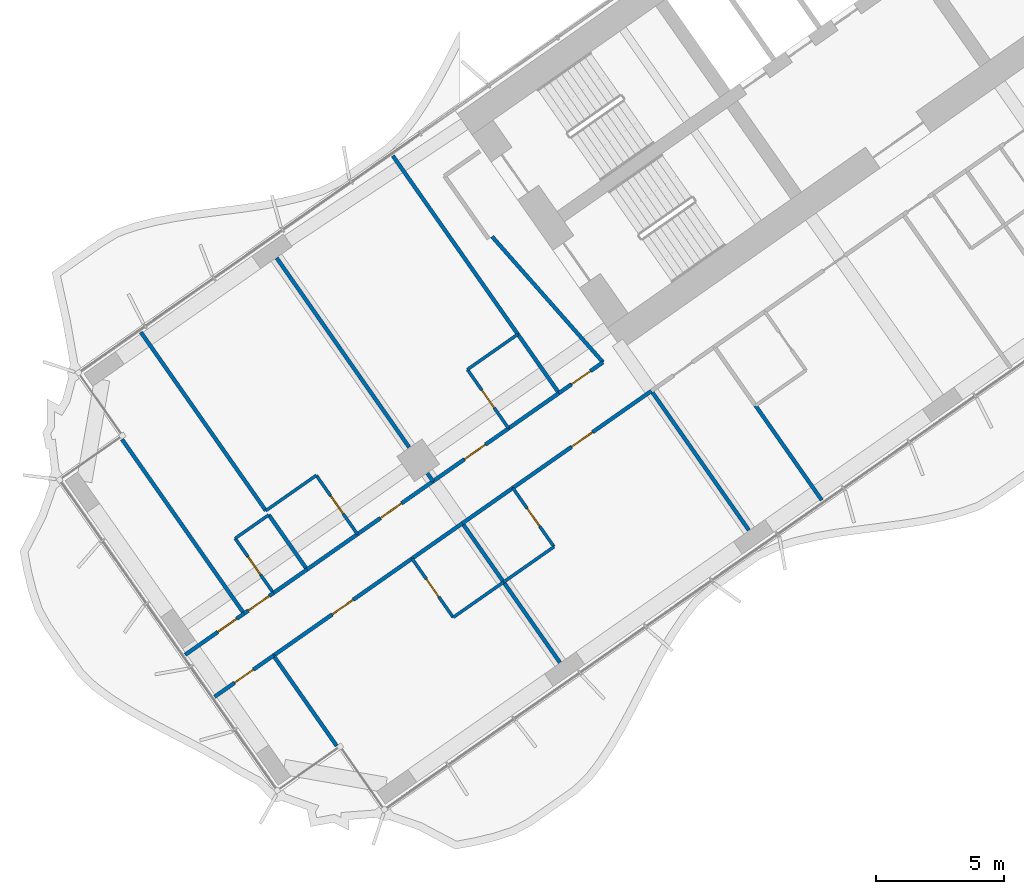
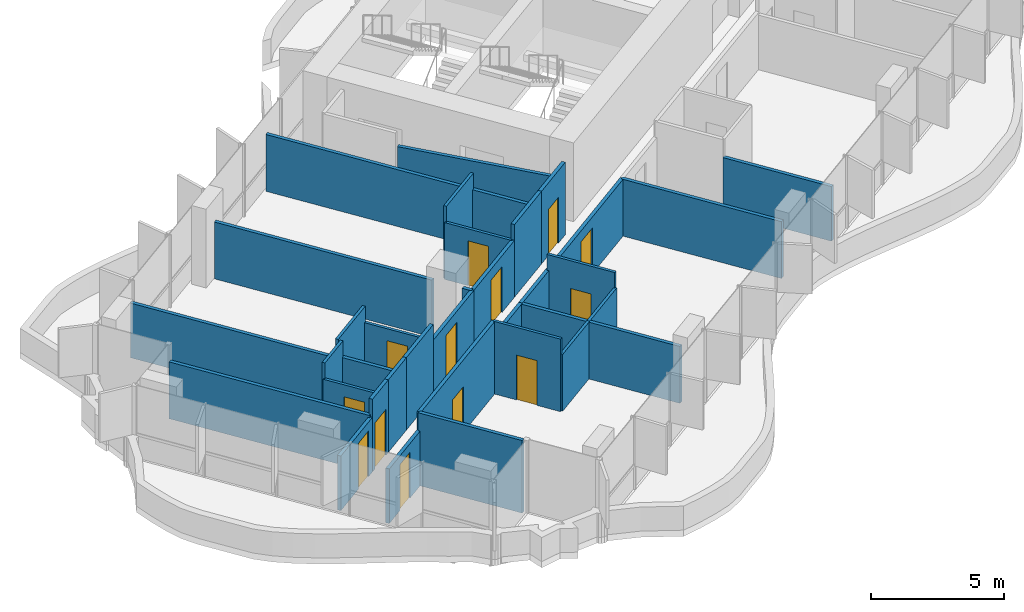
# One storey, part 13 of 25: 36 walls, 13 doors, 13 openings.
"""IFC4 building model written with IfcOpenShell, lengths in metres."""

from ifc_helpers import new_model, si_unit, direction, frame, frame_2d, origin, place, context, subcontext, project, spatial, rectangle, extrude, material, layer, layer_set, type_object, element, fill, save


model = new_model("IFC4")

# Units and contexts
model_context = context("Model", 3, precision=1e-05, world=origin(), true_north=direction((0.0, 1.0)))
body_context = subcontext(model_context, "Body", "Model", "MODEL_VIEW")
ifc_project = project(units=[si_unit("LENGTHUNIT", "METRE"), si_unit("AREAUNIT", "SQUARE_METRE"), si_unit("VOLUMEUNIT", "CUBIC_METRE"), si_unit("PLANEANGLEUNIT", "RADIAN"), si_unit("MASSUNIT", "GRAM", prefix="KILO")], contexts=[model_context])

# Site, building, storey
site_placement = place(None, origin())
site = spatial("IfcSite", under=ifc_project, at=site_placement, CompositionType="ELEMENT")
building_placement = place(site_placement, origin())
building = spatial("IfcBuilding", under=site, at=building_placement, Name="Tel Ilan Convention Tower", CompositionType="ELEMENT")
storey_placement = place(building_placement, frame((0.0, 0.0, 76.10009765625)))
storey = spatial("IfcBuildingStorey", under=building, at=storey_placement, Name="L14", CompositionType="ELEMENT", Elevation=76.10009765625)

# Wall, opening, door
ifc_material_1 = material(Name="Plasterboard on Steel Studs", Category="steel")
ifc_layer_1 = layer(ifc_material_1, 0.14990234375)
ifc_layer_set_1 = layer_set([ifc_layer_1], Name="Fire-rated Partition 150 EI 60")
wall_type_1 = type_object("IfcWallType", Name="Fire-rated Partition 150 EI 60", PredefinedType="PARTITIONING", material=ifc_layer_set_1)
wall_1_placement = place(storey_placement, frame((-24.002685546875, -18.027587890625, 0.0), z_axis=(0.0, 0.0, 1.0), x_axis=(0.819160859995, 0.573563846013, 0.0)))
wall_1 = element("IfcWall", 1, at=wall_1_placement, inside=storey, type_object=wall_type_1, Name="Partition 018", PredefinedType="PARTITIONING", context=body_context, shape_type="SweptSolid", body=[
    extrude(rectangle(XDim=2.098388671875, YDim=0.14990234375, at=frame_2d((1.04931640625, 0.0))), origin(), (0.0, 0.0, 1.0), 3.31982421875),
])
opening_1_placement = place(wall_1_placement, frame((0.59912109375, 0.0, 0.0)))
opening_1 = element("IfcOpeningElement", 2, at=opening_1_placement, cuts=wall_1, Name="Opening L14-013", PredefinedType="OPENING", context=body_context, shape_type="SweptSolid", body=[
    extrude(rectangle(XDim=0.89990234375, YDim=2.10009765625, at=frame_2d((0.449951171875, 1.050048828125))), frame((0.0, 0.0849609375, 0.0), z_axis=(0.0, -1.0, 0.0), x_axis=(1.0, 0.0, 0.0)), (0.0, 0.0, 1.0), 0.169921875),
])
ifc_material_2 = material(Name="Timber Door Leaf in Steel Frame", Category="steel")
door_type_1 = type_object("IfcDoorType", Name="Room Fire Door 900x2100", OperationType="NOTDEFINED", PredefinedType="DOOR", material=ifc_material_2)
door_1_placement = place(opening_1_placement, origin())
door_1 = element("IfcDoor", 3, at=door_1_placement, inside=storey, type_object=door_type_1, Name="Door L14-013", OperationType="SINGLE_SWING_LEFT", OverallHeight=2.10009765625, OverallWidth=0.89990234375, PredefinedType="DOOR", context=body_context, shape_type="SweptSolid", body=[
    extrude(rectangle(XDim=0.89990234375, YDim=2.10009765625, at=frame_2d((0.449951171875, 1.050048828125))), frame((0.0, 0.02490234375, 0.0), z_axis=(0.0, -1.0, 0.0), x_axis=(1.0, 0.0, 0.0)), (0.0, 0.0, 1.0), 0.050048828125),
])
fill(opening_1, door_1)

wall_2_placement = place(storey_placement, frame((-28.91748046875, -21.468994140625, 0.0), z_axis=(0.0, 0.0, 1.0), x_axis=(0.81917779803, 0.57353965444, 0.0)))
wall_2 = element("IfcWall", 4, at=wall_2_placement, inside=storey, type_object=wall_type_1, Name="Partition 019", PredefinedType="PARTITIONING", context=body_context, shape_type="SweptSolid", body=[
    extrude(rectangle(XDim=3.602783203125, YDim=0.14990234375, at=frame_2d((1.80126953125, 0.0))), origin(), (0.0, 0.0, 1.0), 2.599853515625),
])
opening_2_placement = place(wall_2_placement, frame((1.501953125, 0.0, 0.0)))
opening_2 = element("IfcOpeningElement", 5, at=opening_2_placement, cuts=wall_2, Name="Opening L14-015", PredefinedType="OPENING", context=body_context, shape_type="SweptSolid", body=[
    extrude(rectangle(XDim=1.0, YDim=2.10009765625, at=frame_2d((0.5, 1.050048828125))), frame((0.0, 0.0849609375, 0.0), z_axis=(0.0, -1.0, 0.0), x_axis=(1.0, 0.0, 0.0)), (0.0, 0.0, 1.0), 0.169921875),
])
ifc_material_3 = material(Name="Timber Door Leaf in Steel Frame", Category="steel")
door_type_2 = type_object("IfcDoorType", Name="Hotel Room Entrance Fire Door 1000x2100", OperationType="NOTDEFINED", PredefinedType="DOOR", material=ifc_material_3)
door_2_placement = place(opening_2_placement, origin())
door_2 = element("IfcDoor", 6, at=door_2_placement, inside=storey, type_object=door_type_2, Name="Door L14-015", OperationType="SINGLE_SWING_LEFT", OverallHeight=2.10009765625, OverallWidth=1.0, PredefinedType="DOOR", context=body_context, shape_type="SweptSolid", body=[
    extrude(rectangle(XDim=1.0, YDim=2.10009765625, at=frame_2d((0.5, 1.050048828125))), frame((0.0, 0.02490234375, 0.0), z_axis=(0.0, -1.0, 0.0), x_axis=(1.0, 0.0, 0.0)), (0.0, 0.0, 1.0), 0.050048828125),
])
fill(opening_2, door_2)

# Wall
wall_3_placement = place(storey_placement, frame((-25.968505859375, -19.404296875, 0.0), z_axis=(0.0, 0.0, 1.0), x_axis=(0.819146032251, 0.573585022335, 0.0)))
element("IfcWall", 7, at=wall_3_placement, inside=storey, type_object=wall_type_1, Name="Partition 020", PredefinedType="PARTITIONING", context=body_context, shape_type="SweptSolid", body=[
    extrude(rectangle(XDim=2.404052734375, YDim=0.14990234375, at=frame_2d((1.2021484375, 0.0))), origin(), (0.0, 0.0, 1.0), 3.31982421875),
])

# Wall, opening, door
wall_4_placement = place(storey_placement, frame((-31.86572265625, -23.533447265625, 0.0), z_axis=(0.0, 0.0, 1.0), x_axis=(0.819145961204, 0.573585123798, 0.0)))
wall_4 = element("IfcWall", 8, at=wall_4_placement, inside=storey, type_object=wall_type_1, Name="Partition 021", PredefinedType="PARTITIONING", context=body_context, shape_type="SweptSolid", body=[
    extrude(rectangle(XDim=3.60302734375, YDim=0.14990234375, at=frame_2d((1.801513671875, 0.0))), origin(), (0.0, 0.0, 1.0), 2.599853515625),
])
opening_3_placement = place(wall_4_placement, frame((1.10107421875, 0.0, 0.0)))
opening_3 = element("IfcOpeningElement", 9, at=opening_3_placement, cuts=wall_4, Name="Opening L14-017", PredefinedType="OPENING", context=body_context, shape_type="SweptSolid", body=[
    extrude(rectangle(XDim=1.0, YDim=2.10009765625, at=frame_2d((0.5, 1.050048828125))), frame((0.0, 0.0849609375, 0.0), z_axis=(0.0, -1.0, 0.0), x_axis=(1.0, 0.0, 0.0)), (0.0, 0.0, 1.0), 0.169921875),
])
door_3_placement = place(opening_3_placement, origin())
door_3 = element("IfcDoor", 10, at=door_3_placement, inside=storey, type_object=door_type_2, Name="Door L14-017", OperationType="SINGLE_SWING_LEFT", OverallHeight=2.10009765625, OverallWidth=1.0, PredefinedType="DOOR", context=body_context, shape_type="SweptSolid", body=[
    extrude(rectangle(XDim=1.0, YDim=2.10009765625, at=frame_2d((0.5, 1.050048828125))), frame((0.0, 0.02490234375, 0.0), z_axis=(0.0, -1.0, 0.0), x_axis=(1.0, 0.0, 0.0)), (0.0, 0.0, 1.0), 0.050048828125),
])
fill(opening_3, door_3)

# Wall
wall_5_placement = place(storey_placement, frame((-33.83251953125, -24.910400390625, 0.0), z_axis=(0.0, 0.0, 1.0), x_axis=(0.819146032251, 0.573585022335, 0.0)))
element("IfcWall", 11, at=wall_5_placement, inside=storey, type_object=wall_type_1, Name="Partition 022", PredefinedType="PARTITIONING", context=body_context, shape_type="SweptSolid", body=[
    extrude(rectangle(XDim=2.404052734375, YDim=0.14990234375, at=frame_2d((1.2021484375, 0.0))), origin(), (0.0, 0.0, 1.0), 3.31982421875),
])

# Wall, opening, door
wall_6_placement = place(storey_placement, frame((-36.289794921875, -26.631103515625, 0.0), z_axis=(0.0, 0.0, 1.0), x_axis=(0.81914197737, 0.573590813132, 0.0)))
wall_6 = element("IfcWall", 12, at=wall_6_placement, inside=storey, type_object=wall_type_1, Name="Partition 023", PredefinedType="PARTITIONING", context=body_context, shape_type="SweptSolid", body=[
    extrude(rectangle(XDim=1.40283203125, YDim=0.14990234375, at=frame_2d((0.701416015625, 0.0))), origin(), (0.0, 0.0, 1.0), 3.31982421875),
])
opening_4_placement = place(wall_6_placement, frame((0.201904296875, 0.0, 0.0)))
opening_4 = element("IfcOpeningElement", 13, at=opening_4_placement, cuts=wall_6, Name="Opening L14-019", PredefinedType="OPENING", context=body_context, shape_type="SweptSolid", body=[
    extrude(rectangle(XDim=1.0, YDim=2.10009765625, at=frame_2d((0.5, 1.050048828125))), frame((0.0, 0.0849609375, 0.0), z_axis=(0.0, -1.0, 0.0), x_axis=(1.0, 0.0, 0.0)), (0.0, 0.0, 1.0), 0.169921875),
])
door_4_placement = place(opening_4_placement, origin())
door_4 = element("IfcDoor", 14, at=door_4_placement, inside=storey, type_object=door_type_2, Name="Door L14-019", OperationType="SINGLE_SWING_RIGHT", OverallHeight=2.10009765625, OverallWidth=1.0, PredefinedType="DOOR", context=body_context, shape_type="SweptSolid", body=[
    extrude(rectangle(XDim=1.0, YDim=2.10009765625, at=frame_2d((0.5, 1.050048828125))), frame((0.0, 0.02490234375, 0.0), z_axis=(0.0, -1.0, 0.0), x_axis=(1.0, 0.0, 0.0)), (0.0, 0.0, 1.0), 0.050048828125),
])
fill(opening_4, door_4)

# Wall
wall_7_placement = place(storey_placement, frame((-35.14306640625, -25.828125, 0.0), z_axis=(0.0, 0.0, 1.0), x_axis=(0.819189013667, 0.573523634986, 0.0)))
element("IfcWall", 15, at=wall_7_placement, inside=storey, type_object=wall_type_1, Name="Partition 024", PredefinedType="PARTITIONING", context=body_context, shape_type="SweptSolid", body=[
    extrude(rectangle(XDim=1.60400390625, YDim=0.14990234375, at=frame_2d((0.802001953125, 0.0))), origin(), (0.0, 0.0, 1.0), 3.31982421875),
])

# Wall, opening, door
wall_8_placement = place(storey_placement, frame((-38.581787109375, -28.236083984375, 0.0), z_axis=(0.0, 0.0, 1.0), x_axis=(0.819137759006, 0.573596837309, 0.0)))
wall_8 = element("IfcWall", 16, at=wall_8_placement, inside=storey, type_object=wall_type_1, Name="Partition 025", PredefinedType="PARTITIONING", context=body_context, shape_type="SweptSolid", body=[
    extrude(rectangle(XDim=2.802001953125, YDim=0.14990234375, at=frame_2d((1.40087890625, 0.0))), origin(), (0.0, 0.0, 1.0), 2.5),
])
opening_5_placement = place(wall_8_placement, frame((1.551025390625, 0.0, 0.0)))
opening_5 = element("IfcOpeningElement", 17, at=opening_5_placement, cuts=wall_8, Name="Opening L14-020", PredefinedType="OPENING", context=body_context, shape_type="SweptSolid", body=[
    extrude(rectangle(XDim=0.89990234375, YDim=2.10009765625, at=frame_2d((0.449951171875, 1.050048828125))), frame((0.0, 0.0849609375, 0.0), z_axis=(0.0, -1.0, 0.0), x_axis=(1.0, 0.0, 0.0)), (0.0, 0.0, 1.0), 0.169921875),
])
door_5_placement = place(opening_5_placement, origin())
door_5 = element("IfcDoor", 18, at=door_5_placement, inside=storey, type_object=door_type_1, Name="Door L14-020", OperationType="SINGLE_SWING_RIGHT", OverallHeight=2.10009765625, OverallWidth=0.89990234375, PredefinedType="DOOR", context=body_context, shape_type="SweptSolid", body=[
    extrude(rectangle(XDim=0.89990234375, YDim=2.10009765625, at=frame_2d((0.449951171875, 1.050048828125))), frame((0.0, 0.02490234375, 0.0), z_axis=(0.0, -1.0, 0.0), x_axis=(1.0, 0.0, 0.0)), (0.0, 0.0, 1.0), 0.050048828125),
])
fill(opening_5, door_5)

wall_9_placement = place(storey_placement, frame((-20.394775390625, -17.94287109375, 0.0), z_axis=(0.0, 0.0, 1.0), x_axis=(-0.819153746897, -0.573574004767, 0.0)))
wall_9 = element("IfcWall", 19, at=wall_9_placement, inside=storey, type_object=wall_type_1, Name="Partition 033", PredefinedType="PARTITIONING", context=body_context, shape_type="SweptSolid", body=[
    extrude(rectangle(XDim=6.60302734375, YDim=0.14990234375, at=frame_2d((3.301513671875, 0.0))), origin(), (0.0, 0.0, 1.0), 2.599853515625),
])
opening_6_placement = place(wall_9_placement, frame((2.802001953125, 0.0, 0.0)))
opening_6 = element("IfcOpeningElement", 20, at=opening_6_placement, cuts=wall_9, Name="Opening L14-009", PredefinedType="OPENING", context=body_context, shape_type="SweptSolid", body=[
    extrude(rectangle(XDim=1.0, YDim=2.10009765625, at=frame_2d((0.5, 1.050048828125))), frame((0.0, 0.0849609375, 0.0), z_axis=(0.0, -1.0, 0.0), x_axis=(1.0, 0.0, 0.0)), (0.0, 0.0, 1.0), 0.169921875),
])
door_6_placement = place(opening_6_placement, origin())
door_6 = element("IfcDoor", 21, at=door_6_placement, inside=storey, type_object=door_type_2, Name="Door L14-009", OperationType="SINGLE_SWING_RIGHT", OverallHeight=2.10009765625, OverallWidth=1.0, PredefinedType="DOOR", context=body_context, shape_type="SweptSolid", body=[
    extrude(rectangle(XDim=1.0, YDim=2.10009765625, at=frame_2d((0.5, 1.050048828125))), frame((0.0, 0.02490234375, 0.0), z_axis=(0.0, -1.0, 0.0), x_axis=(1.0, 0.0, 0.0)), (0.0, 0.0, 1.0), 0.050048828125),
])
fill(opening_6, door_6)

# Wall
wall_10_placement = place(storey_placement, frame((-25.801025390625, -21.728515625, 0.0), z_axis=(0.0, 0.0, 1.0), x_axis=(-0.819179439794, -0.573537309527, 0.0)))
element("IfcWall", 22, at=wall_10_placement, inside=storey, type_object=wall_type_1, Name="Partition 034", PredefinedType="PARTITIONING", context=body_context, shape_type="SweptSolid", body=[
    extrude(rectangle(XDim=2.404296875, YDim=0.14990234375, at=frame_2d((1.2021484375, 0.0))), origin(), (0.0, 0.0, 1.0), 2.599853515625),
])

# Wall, opening, door
wall_11_placement = place(storey_placement, frame((-29.73388671875, -24.482177734375, 0.0), z_axis=(0.0, 0.0, 1.0), x_axis=(-0.819153746897, -0.573574004767, 0.0)))
wall_11 = element("IfcWall", 23, at=wall_11_placement, inside=storey, type_object=wall_type_1, Name="Partition 035", PredefinedType="PARTITIONING", context=body_context, shape_type="SweptSolid", body=[
    extrude(rectangle(XDim=6.60302734375, YDim=0.14990234375, at=frame_2d((3.301513671875, 0.0))), origin(), (0.0, 0.0, 1.0), 3.31982421875),
])
opening_7_placement = place(wall_11_placement, frame((2.801025390625, 0.0, 0.0)))
opening_7 = element("IfcOpeningElement", 24, at=opening_7_placement, cuts=wall_11, Name="Opening L14-011", PredefinedType="OPENING", context=body_context, shape_type="SweptSolid", body=[
    extrude(rectangle(XDim=1.0, YDim=2.10009765625, at=frame_2d((0.5, 1.050048828125))), frame((0.0, 0.0849609375, 0.0), z_axis=(0.0, -1.0, 0.0), x_axis=(1.0, 0.0, 0.0)), (0.0, 0.0, 1.0), 0.169921875),
])
door_7_placement = place(opening_7_placement, origin())
door_7 = element("IfcDoor", 25, at=door_7_placement, inside=storey, type_object=door_type_2, Name="Door L14-011", OperationType="SINGLE_SWING_RIGHT", OverallHeight=2.10009765625, OverallWidth=1.0, PredefinedType="DOOR", context=body_context, shape_type="SweptSolid", body=[
    extrude(rectangle(XDim=1.0, YDim=2.10009765625, at=frame_2d((0.5, 1.050048828125))), frame((0.0, 0.02490234375, 0.0), z_axis=(0.0, -1.0, 0.0), x_axis=(1.0, 0.0, 0.0)), (0.0, 0.0, 1.0), 0.050048828125),
])
fill(opening_7, door_7)

# Wall
wall_12_placement = place(storey_placement, frame((-27.76708984375, -23.10498046875, 0.0), z_axis=(0.0, 0.0, 1.0), x_axis=(-0.819146032251, -0.573585022335, 0.0)))
element("IfcWall", 26, at=wall_12_placement, inside=storey, type_object=wall_type_1, Name="Partition 036", PredefinedType="PARTITIONING", context=body_context, shape_type="SweptSolid", body=[
    extrude(rectangle(XDim=2.404052734375, YDim=0.14990234375, at=frame_2d((1.2021484375, 0.0))), origin(), (0.0, 0.0, 1.0), 2.599853515625),
])

# Wall, opening, door
wall_13_placement = place(storey_placement, frame((-35.139404296875, -28.26708984375, 0.0), z_axis=(0.0, 0.0, 1.0), x_axis=(-0.819125488359, -0.573614360281, 0.0)))
wall_13 = element("IfcWall", 27, at=wall_13_placement, inside=storey, type_object=wall_type_1, Name="Partition 037", PredefinedType="PARTITIONING", context=body_context, shape_type="SweptSolid", body=[
    extrude(rectangle(XDim=2.80224609375, YDim=0.14990234375, at=frame_2d((1.401123046875, 0.0))), origin(), (0.0, 0.0, 1.0), 2.5),
])
opening_8_placement = place(wall_13_placement, frame((0.950927734375, 0.0, 0.0)))
opening_8 = element("IfcOpeningElement", 28, at=opening_8_placement, cuts=wall_13, Name="Opening L14-012", PredefinedType="OPENING", context=body_context, shape_type="SweptSolid", body=[
    extrude(rectangle(XDim=0.89990234375, YDim=2.10009765625, at=frame_2d((0.449951171875, 1.050048828125))), frame((0.0, 0.0849609375, 0.0), z_axis=(0.0, -1.0, 0.0), x_axis=(1.0, 0.0, 0.0)), (0.0, 0.0, 1.0), 0.169921875),
])
door_8_placement = place(opening_8_placement, origin())
door_8 = element("IfcDoor", 29, at=door_8_placement, inside=storey, type_object=door_type_1, Name="Door L14-012", OperationType="SINGLE_SWING_RIGHT", OverallHeight=2.10009765625, OverallWidth=0.89990234375, PredefinedType="DOOR", context=body_context, shape_type="SweptSolid", body=[
    extrude(rectangle(XDim=0.89990234375, YDim=2.10009765625, at=frame_2d((0.449951171875, 1.050048828125))), frame((0.0, 0.02490234375, 0.0), z_axis=(0.0, -1.0, 0.0), x_axis=(1.0, 0.0, 0.0)), (0.0, 0.0, 1.0), 0.050048828125),
])
fill(opening_8, door_8)

# Walls
wall_14_placement = place(storey_placement, frame((-22.2841796875, -16.82666015625, 0.0), z_axis=(0.0, 0.0, 1.0), x_axis=(-0.661545117561, 0.749905365651, 0.0)))
element("IfcWall", 30, at=wall_14_placement, inside=storey, type_object=wall_type_1, Name="Partition 069", PredefinedType="PARTITIONING", context=body_context, shape_type="SweptSolid", body=[
    extrude(rectangle(XDim=6.542724609375, YDim=0.14990234375, at=frame_2d((3.271484375, 0.0))), origin(), (0.0, 0.0, 1.0), 2.599853515625),
])
wall_15_placement = place(storey_placement, frame((-25.6064453125, -15.733642578125, 0.0), z_axis=(0.0, 0.0, 1.0), x_axis=(-0.573576058406, 0.819152308929, 0.0)))
element("IfcWall", 31, at=wall_15_placement, inside=storey, type_object=wall_type_1, Name="Partition 070", PredefinedType="PARTITIONING", context=body_context, shape_type="SweptSolid", body=[
    extrude(rectangle(XDim=8.5009765625, YDim=0.14990234375, at=frame_2d((4.25048828125, 0.0))), origin(), (0.0, 0.0, 1.0), 2.599853515625),
])
wall_16_placement = place(storey_placement, frame((-24.0009765625, -18.0263671875, 0.0), z_axis=(0.0, 0.0, 1.0), x_axis=(-0.573596837309, 0.819137759006, 0.0)))
element("IfcWall", 32, at=wall_16_placement, inside=storey, type_object=wall_type_1, Name="Partition 071", PredefinedType="PARTITIONING", context=body_context, shape_type="SweptSolid", body=[
    extrude(rectangle(XDim=2.802001953125, YDim=0.14990234375, at=frame_2d((1.40087890625, 0.0))), origin(), (0.0, 0.0, 1.0), 2.599853515625),
])
wall_17_placement = place(storey_placement, frame((-28.916015625, -21.468017578125, 0.0), z_axis=(0.0, 0.0, 1.0), x_axis=(-0.572944929411, 0.819593867633, 0.0)))
element("IfcWall", 33, at=wall_17_placement, inside=storey, type_object=wall_type_1, Name="Partition 074", PredefinedType="PARTITIONING", context=body_context, shape_type="SweptSolid", body=[
    extrude(rectangle(XDim=0.380126953125, YDim=0.14990234375, at=frame_2d((0.18994140625, 0.0))), origin(), (0.0, 0.0, 1.0), 2.599853515625),
])
wall_18_placement = place(storey_placement, frame((-29.84521484375, -20.140869140625, 0.0), z_axis=(0.0, 0.0, 1.0), x_axis=(-0.573558725113, 0.819164445546, 0.0)))
element("IfcWall", 34, at=wall_18_placement, inside=storey, type_object=wall_type_1, Name="Partition 075", PredefinedType="PARTITIONING", context=body_context, shape_type="SweptSolid", body=[
    extrude(rectangle(XDim=9.010009765625, YDim=0.14990234375, at=frame_2d((4.5048828125, 0.0))), origin(), (0.0, 0.0, 1.0), 2.599853515625),
])
wall_19_placement = place(storey_placement, frame((-35.4375, -22.614990234375, 0.0), z_axis=(0.0, 0.0, 1.0), x_axis=(-0.573560662175, 0.81916308926, 0.0)))
element("IfcWall", 35, at=wall_19_placement, inside=storey, type_object=wall_type_1, Name="Partition 078", PredefinedType="PARTITIONING", context=body_context, shape_type="SweptSolid", body=[
    extrude(rectangle(XDim=8.4990234375, YDim=0.14990234375, at=frame_2d((4.24951171875, 0.0))), origin(), (0.0, 0.0, 1.0), 2.5),
])
wall_20_placement = place(storey_placement, frame((-33.830810546875, -24.909423828125, 0.0), z_axis=(0.0, 0.0, 1.0), x_axis=(-0.573544201094, 0.819174614714, 0.0)))
element("IfcWall", 36, at=wall_20_placement, inside=storey, type_object=wall_type_1, Name="Partition 079", PredefinedType="PARTITIONING", context=body_context, shape_type="SweptSolid", body=[
    extrude(rectangle(XDim=2.60205078125, YDim=0.14990234375, at=frame_2d((1.301025390625, 0.0))), origin(), (0.0, 0.0, 1.0), 2.599853515625),
])
wall_21_placement = place(storey_placement, frame((-36.288330078125, -26.630126953125, 0.0), z_axis=(0.0, 0.0, 1.0), x_axis=(-0.573555124968, 0.819166966267, 0.0)))
element("IfcWall", 37, at=wall_21_placement, inside=storey, type_object=wall_type_1, Name="Partition 082", PredefinedType="PARTITIONING", context=body_context, shape_type="SweptSolid", body=[
    extrude(rectangle(XDim=8.300048828125, YDim=0.14990234375, at=frame_2d((4.14990234375, 0.0))), origin(), (0.0, 0.0, 1.0), 2.599853515625),
])
wall_22_placement = place(storey_placement, frame((-13.751708984375, -22.203125, 0.0), z_axis=(0.0, 0.0, 1.0), x_axis=(-0.573564311442, 0.819160534108, 0.0)))
element("IfcWall", 38, at=wall_22_placement, inside=storey, type_object=wall_type_1, Name="Partition 092", PredefinedType="PARTITIONING", context=body_context, shape_type="SweptSolid", body=[
    extrude(rectangle(XDim=4.499267578125, YDim=0.14990234375, at=frame_2d((2.24951171875, 0.0))), origin(), (0.0, 0.0, 1.0), 2.5),
])
wall_23_placement = place(storey_placement, frame((-16.593505859375, -23.375, 0.0), z_axis=(0.0, 0.0, 1.0), x_axis=(-0.57359826181, 0.819136761505, 0.0)))
element("IfcWall", 39, at=wall_23_placement, inside=storey, type_object=wall_type_1, Name="Partition 094", PredefinedType="PARTITIONING", context=body_context, shape_type="SweptSolid", body=[
    extrude(rectangle(XDim=6.630126953125, YDim=0.14990234375, at=frame_2d((3.31494140625, 0.0))), origin(), (0.0, 0.0, 1.0), 2.599853515625),
])
wall_24_placement = place(storey_placement, frame((-23.9658203125, -28.537109375, 0.0), z_axis=(0.0, 0.0, 1.0), x_axis=(-0.573594994199, 0.819139049631, 0.0)))
element("IfcWall", 40, at=wall_24_placement, inside=storey, type_object=wall_type_1, Name="Partition 097", PredefinedType="PARTITIONING", context=body_context, shape_type="SweptSolid", body=[
    extrude(rectangle(XDim=3.8291015625, YDim=0.14990234375, at=frame_2d((1.91455078125, 0.0))), origin(), (0.0, 0.0, 1.0), 2.599853515625),
])
wall_25_placement = place(storey_placement, frame((-26.16259765625, -25.39990234375, 0.0), z_axis=(0.0, 0.0, 1.0), x_axis=(-0.573608623498, 0.819129505664, 0.0)))
element("IfcWall", 41, at=wall_25_placement, inside=storey, type_object=wall_type_1, Name="Partition 098", PredefinedType="PARTITIONING", context=body_context, shape_type="SweptSolid", body=[
    extrude(rectangle(XDim=2.800048828125, YDim=0.14990234375, at=frame_2d((1.39990234375, 0.0))), origin(), (0.0, 0.0, 1.0), 2.599853515625),
])
wall_26_placement = place(storey_placement, frame((-32.6748046875, -31.790771484375, 0.0), z_axis=(0.0, 0.0, 1.0), x_axis=(-0.573553792486, 0.819167899227, 0.0)))
element("IfcWall", 42, at=wall_26_placement, inside=storey, type_object=wall_type_1, Name="Partition 101", PredefinedType="PARTITIONING", context=body_context, shape_type="SweptSolid", body=[
    extrude(rectangle(XDim=4.300048828125, YDim=0.14990234375, at=frame_2d((2.14990234375, 0.0))), origin(), (0.0, 0.0, 1.0), 3.31982421875),
])
ifc_material_4 = material(Name="Plasterboard on Steel Studs", Category="steel")
ifc_layer_2 = layer(ifc_material_4, 0.1201171875)
ifc_layer_set_2 = layer_set([ifc_layer_2], Name="Moisture-resistant Partition 120")
wall_type_2 = type_object("IfcWallType", Name="Moisture-resistant Partition 120", PredefinedType="PARTITIONING", material=ifc_layer_set_2)
wall_27_placement = place(storey_placement, frame((-25.607666015625, -15.73193359375, 0.0), z_axis=(0.0, 0.0, 1.0), x_axis=(-0.819107643868, -0.573639841501, 0.0)))
element("IfcWall", 43, at=wall_27_placement, inside=storey, type_object=wall_type_2, Name="Partition 072", PredefinedType="PARTITIONING", context=body_context, shape_type="SweptSolid", body=[
    extrude(rectangle(XDim=2.39990234375, YDim=0.1201171875, at=frame_2d((1.199951171875, 0.0))), origin(), (0.0, 0.0, 1.0), 3.31982421875),
])

# Wall, opening, door
wall_28_placement = place(storey_placement, frame((-27.57373046875, -17.110107421875, 0.0), z_axis=(0.0, 0.0, 1.0), x_axis=(0.573591086599, -0.819141785879, 0.0)))
wall_28 = element("IfcWall", 44, at=wall_28_placement, inside=storey, type_object=wall_type_2, Name="Partition 073", PredefinedType="PARTITIONING", context=body_context, shape_type="SweptSolid", body=[
    extrude(rectangle(XDim=2.7998046875, YDim=0.1201171875, at=frame_2d((1.39990234375, 0.0))), origin(), (0.0, 0.0, 1.0), 2.599853515625),
])
opening_9_placement = place(wall_28_placement, frame((0.97509765625, 0.0, 0.0)))
opening_9 = element("IfcOpeningElement", 45, at=opening_9_placement, cuts=wall_28, Name="Opening L14-014", PredefinedType="OPENING", context=body_context, shape_type="SweptSolid", body=[
    extrude(rectangle(XDim=0.85009765625, YDim=2.050048828125, at=frame_2d((0.425048828125, 1.02490234375))), frame((0.0, 0.070068359375, 0.0), z_axis=(0.0, -1.0, 0.0), x_axis=(1.0, 0.0, 0.0)), (0.0, 0.0, 1.0), 0.14013671875),
])
ifc_material_5 = material(Name="Timber Door Leaf in Steel Frame", Category="steel")
door_type_3 = type_object("IfcDoorType", Name="Bathroom Timber Door 850x2050", OperationType="NOTDEFINED", PredefinedType="DOOR", material=ifc_material_5)
door_9_placement = place(opening_9_placement, origin())
door_9 = element("IfcDoor", 46, at=door_9_placement, inside=storey, type_object=door_type_3, Name="Door L14-014", OperationType="SINGLE_SWING_RIGHT", OverallHeight=2.050048828125, OverallWidth=0.85009765625, PredefinedType="DOOR", context=body_context, shape_type="SweptSolid", body=[
    extrude(rectangle(XDim=0.85009765625, YDim=2.050048828125, at=frame_2d((0.425048828125, 1.02490234375))), frame((0.0, 0.02490234375, 0.0), z_axis=(0.0, -1.0, 0.0), x_axis=(1.0, 0.0, 0.0)), (0.0, 0.0, 1.0), 0.050048828125),
])
fill(opening_9, door_9)

wall_29_placement = place(storey_placement, frame((-31.864013671875, -23.5322265625, 0.0), z_axis=(0.0, 0.0, 1.0), x_axis=(-0.573550118428, 0.819170471667, 0.0)))
wall_29 = element("IfcWall", 47, at=wall_29_placement, inside=storey, type_object=wall_type_2, Name="Partition 076", PredefinedType="PARTITIONING", context=body_context, shape_type="SweptSolid", body=[
    extrude(rectangle(XDim=2.800048828125, YDim=0.1201171875, at=frame_2d((1.39990234375, 0.0))), origin(), (0.0, 0.0, 1.0), 2.599853515625),
])
opening_10_placement = place(wall_29_placement, frame((0.97509765625, 0.0, 0.0)))
opening_10 = element("IfcOpeningElement", 48, at=opening_10_placement, cuts=wall_29, Name="Opening L14-016", PredefinedType="OPENING", context=body_context, shape_type="SweptSolid", body=[
    extrude(rectangle(XDim=0.85009765625, YDim=2.050048828125, at=frame_2d((0.425048828125, 1.02490234375))), frame((0.0, 0.070068359375, 0.0), z_axis=(0.0, -1.0, 0.0), x_axis=(1.0, 0.0, 0.0)), (0.0, 0.0, 1.0), 0.14013671875),
])
door_10_placement = place(opening_10_placement, origin())
door_10 = element("IfcDoor", 49, at=door_10_placement, inside=storey, type_object=door_type_3, Name="Door L14-016", OperationType="SINGLE_SWING_RIGHT", OverallHeight=2.050048828125, OverallWidth=0.85009765625, PredefinedType="DOOR", context=body_context, shape_type="SweptSolid", body=[
    extrude(rectangle(XDim=0.85009765625, YDim=2.050048828125, at=frame_2d((0.425048828125, 1.02490234375))), frame((0.0, 0.02490234375, 0.0), z_axis=(0.0, -1.0, 0.0), x_axis=(1.0, 0.0, 0.0)), (0.0, 0.0, 1.0), 0.050048828125),
])
fill(opening_10, door_10)

# Walls
wall_30_placement = place(storey_placement, frame((-33.471435546875, -21.23828125, 0.0), z_axis=(0.0, 0.0, 1.0), x_axis=(-0.819141114317, -0.573592045652, 0.0)))
element("IfcWall", 50, at=wall_30_placement, inside=storey, type_object=wall_type_2, Name="Partition 077", PredefinedType="PARTITIONING", context=body_context, shape_type="SweptSolid", body=[
    extrude(rectangle(XDim=2.400146484375, YDim=0.1201171875, at=frame_2d((1.2001953125, 0.0))), origin(), (0.0, 0.0, 1.0), 3.31982421875),
])
wall_31_placement = place(storey_placement, frame((-35.32275390625, -22.77880859375, 0.0), z_axis=(0.0, 0.0, 1.0), x_axis=(-0.819131543282, -0.57360571371, 0.0)))
element("IfcWall", 51, at=wall_31_placement, inside=storey, type_object=wall_type_2, Name="Partition 080", PredefinedType="PARTITIONING", context=body_context, shape_type="SweptSolid", body=[
    extrude(rectangle(XDim=1.599853515625, YDim=0.1201171875, at=frame_2d((0.7998046875, 0.0))), origin(), (0.0, 0.0, 1.0), 3.31982421875),
])

# Wall, opening, door
wall_32_placement = place(storey_placement, frame((-36.633544921875, -23.697998046875, 0.0), z_axis=(0.0, 0.0, 1.0), x_axis=(0.573582085028, -0.819148089014, 0.0)))
wall_32 = element("IfcWall", 52, at=wall_32_placement, inside=storey, type_object=wall_type_2, Name="Partition 081", PredefinedType="PARTITIONING", context=body_context, shape_type="SweptSolid", body=[
    extrude(rectangle(XDim=2.599853515625, YDim=0.1201171875, at=frame_2d((1.2998046875, 0.0))), origin(), (0.0, 0.0, 1.0), 2.599853515625),
])
opening_11_placement = place(wall_32_placement, frame((0.875, 0.0, 0.0)))
opening_11 = element("IfcOpeningElement", 53, at=opening_11_placement, cuts=wall_32, Name="Opening L14-018", PredefinedType="OPENING", context=body_context, shape_type="SweptSolid", body=[
    extrude(rectangle(XDim=0.85009765625, YDim=2.050048828125, at=frame_2d((0.425048828125, 1.02490234375))), frame((0.0, 0.070068359375, 0.0), z_axis=(0.0, -1.0, 0.0), x_axis=(1.0, 0.0, 0.0)), (0.0, 0.0, 1.0), 0.14013671875),
])
door_11_placement = place(opening_11_placement, origin())
door_11 = element("IfcDoor", 54, at=door_11_placement, inside=storey, type_object=door_type_3, Name="Door L14-018", OperationType="SINGLE_SWING_LEFT", OverallHeight=2.050048828125, OverallWidth=0.85009765625, PredefinedType="DOOR", context=body_context, shape_type="SweptSolid", body=[
    extrude(rectangle(XDim=0.85009765625, YDim=2.050048828125, at=frame_2d((0.425048828125, 1.02490234375))), frame((0.0, 0.02490234375, 0.0), z_axis=(0.0, -1.0, 0.0), x_axis=(1.0, 0.0, 0.0)), (0.0, 0.0, 1.0), 0.050048828125),
])
fill(opening_11, door_11)

# Wall
wall_33_placement = place(storey_placement, frame((-26.162109375, -25.400634765625, 0.0), z_axis=(0.0, 0.0, 1.0), x_axis=(0.819155442668, 0.573571582932, 0.0)))
element("IfcWall", 55, at=wall_33_placement, inside=storey, type_object=wall_type_2, Name="Partition 095", PredefinedType="PARTITIONING", context=body_context, shape_type="SweptSolid", body=[
    extrude(rectangle(XDim=2.39990234375, YDim=0.1201171875, at=frame_2d((1.199951171875, 0.0))), origin(), (0.0, 0.0, 1.0), 2.599853515625),
])

# Wall, opening, door
wall_34_placement = place(storey_placement, frame((-24.19580078125, -24.022705078125, 0.0), z_axis=(0.0, 0.0, 1.0), x_axis=(-0.573608623498, 0.819129505664, 0.0)))
wall_34 = element("IfcWall", 56, at=wall_34_placement, inside=storey, type_object=wall_type_2, Name="Partition 096", PredefinedType="PARTITIONING", context=body_context, shape_type="SweptSolid", body=[
    extrude(rectangle(XDim=2.800048828125, YDim=0.1201171875, at=frame_2d((1.39990234375, 0.0))), origin(), (0.0, 0.0, 1.0), 3.31982421875),
])
opening_12_placement = place(wall_34_placement, frame((0.97509765625, 0.0, 0.0)))
opening_12 = element("IfcOpeningElement", 57, at=opening_12_placement, cuts=wall_34, Name="Opening L14-008", PredefinedType="OPENING", context=body_context, shape_type="SweptSolid", body=[
    extrude(rectangle(XDim=0.85009765625, YDim=2.050048828125, at=frame_2d((0.425048828125, 1.02490234375))), frame((0.0, 0.070068359375, 0.0), z_axis=(0.0, -1.0, 0.0), x_axis=(1.0, 0.0, 0.0)), (0.0, 0.0, 1.0), 0.14013671875),
])
door_12_placement = place(opening_12_placement, origin())
door_12 = element("IfcDoor", 58, at=door_12_placement, inside=storey, type_object=door_type_3, Name="Door L14-008", OperationType="SINGLE_SWING_RIGHT", OverallHeight=2.050048828125, OverallWidth=0.85009765625, PredefinedType="DOOR", context=body_context, shape_type="SweptSolid", body=[
    extrude(rectangle(XDim=0.85009765625, YDim=2.050048828125, at=frame_2d((0.425048828125, 1.02490234375))), frame((0.0, 0.02490234375, 0.0), z_axis=(0.0, -1.0, 0.0), x_axis=(1.0, 0.0, 0.0)), (0.0, 0.0, 1.0), 0.050048828125),
])
fill(opening_12, door_12)

wall_35_placement = place(storey_placement, frame((-29.735595703125, -24.4833984375, 0.0), z_axis=(0.0, 0.0, 1.0), x_axis=(0.573608623498, -0.819129505664, 0.0)))
wall_35 = element("IfcWall", 59, at=wall_35_placement, inside=storey, type_object=wall_type_2, Name="Partition 099", PredefinedType="PARTITIONING", context=body_context, shape_type="SweptSolid", body=[
    extrude(rectangle(XDim=2.800048828125, YDim=0.1201171875, at=frame_2d((1.39990234375, 0.0))), origin(), (0.0, 0.0, 1.0), 3.31982421875),
])
opening_13_placement = place(wall_35_placement, frame((0.97509765625, 0.0, 0.0)))
opening_13 = element("IfcOpeningElement", 60, at=opening_13_placement, cuts=wall_35, Name="Opening L14-010", PredefinedType="OPENING", context=body_context, shape_type="SweptSolid", body=[
    extrude(rectangle(XDim=0.85009765625, YDim=2.050048828125, at=frame_2d((0.425048828125, 1.02490234375))), frame((0.0, 0.070068359375, 0.0), z_axis=(0.0, -1.0, 0.0), x_axis=(1.0, 0.0, 0.0)), (0.0, 0.0, 1.0), 0.14013671875),
])
door_13_placement = place(opening_13_placement, origin())
door_13 = element("IfcDoor", 61, at=door_13_placement, inside=storey, type_object=door_type_3, Name="Door L14-010", OperationType="SINGLE_SWING_RIGHT", OverallHeight=2.050048828125, OverallWidth=0.85009765625, PredefinedType="DOOR", context=body_context, shape_type="SweptSolid", body=[
    extrude(rectangle(XDim=0.85009765625, YDim=2.050048828125, at=frame_2d((0.425048828125, 1.02490234375))), frame((0.0, 0.02490234375, 0.0), z_axis=(0.0, -1.0, 0.0), x_axis=(1.0, 0.0, 0.0)), (0.0, 0.0, 1.0), 0.050048828125),
])
fill(opening_13, door_13)

# Wall
wall_36_placement = place(storey_placement, frame((-28.128173828125, -26.777099609375, 0.0), z_axis=(0.0, 0.0, 1.0), x_axis=(0.819188907105, 0.573523787192, 0.0)))
element("IfcWall", 62, at=wall_36_placement, inside=storey, type_object=wall_type_2, Name="Partition 100", PredefinedType="PARTITIONING", context=body_context, shape_type="SweptSolid", body=[
    extrude(rectangle(XDim=2.39990234375, YDim=0.1201171875, at=frame_2d((1.199951171875, 0.0))), origin(), (0.0, 0.0, 1.0), 2.599853515625),
])

save(model, "model.ifc")
